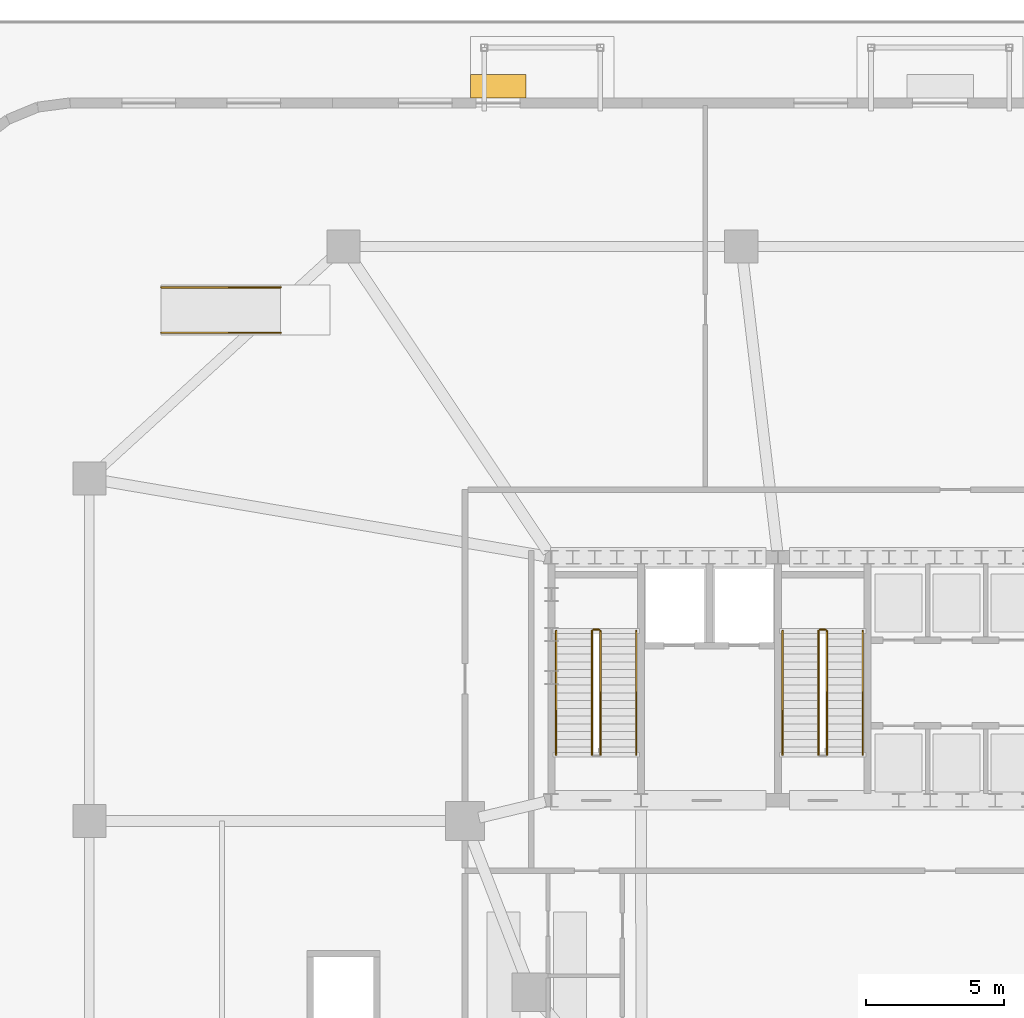
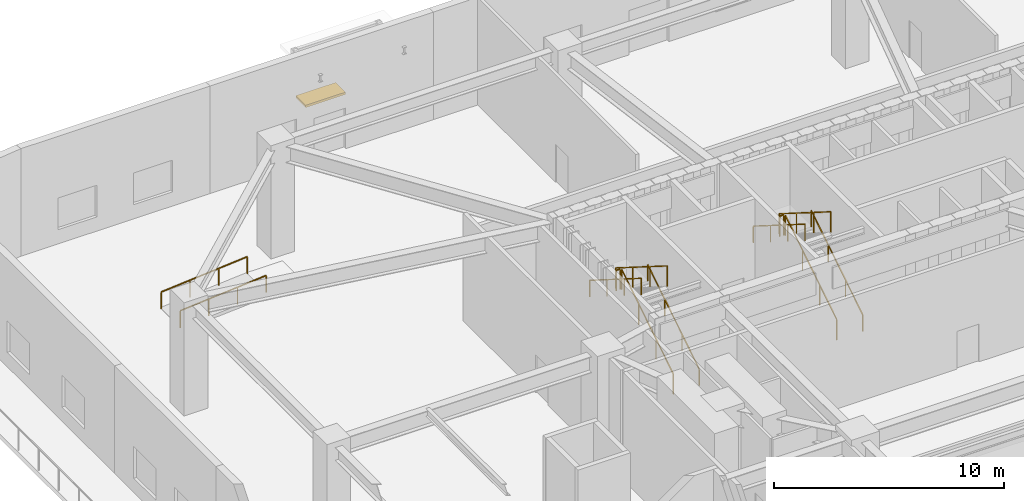
# One storey, part 18 of 21: 12 railings, 1 shading device.
"""IFC4 building model written with IfcOpenShell, lengths in metres."""

from ifc_helpers import new_model, si_unit, direction, frame, origin, origin_2d, place, context, subcontext, project, spatial, rectangle, extrude, material, type_object, element, save


model = new_model("IFC4")

# Units and contexts
model_context = context("Model", 3, precision=1e-05, world=origin(), true_north=direction((0.0, 1.0)))
body_context = subcontext(model_context, "Body", "Model", "MODEL_VIEW")
ifc_project = project(units=[si_unit("LENGTHUNIT", "METRE"), si_unit("AREAUNIT", "SQUARE_METRE"), si_unit("VOLUMEUNIT", "CUBIC_METRE"), si_unit("PLANEANGLEUNIT", "RADIAN"), si_unit("MASSUNIT", "GRAM", prefix="KILO")], contexts=[model_context])

# Site, building, storey
site_placement = place(None, origin())
site = spatial("IfcSite", under=ifc_project, at=site_placement, CompositionType="ELEMENT")
building_placement = place(site_placement, origin())
building = spatial("IfcBuilding", under=site, at=building_placement, Name="Haldorwick Loom Tower", CompositionType="ELEMENT")
storey_placement = place(building_placement, origin())
storey = spatial("IfcBuildingStorey", under=building, at=storey_placement, Name="L00", CompositionType="ELEMENT", Elevation=0.0)

# Railings
ifc_material_1 = material(Name="Steel CSA G40.21 350W", Category="steel")
railing_type_1 = type_object("IfcRailingType", Name="ARC-RLG-GUARD112", PredefinedType="GUARDRAIL", material=ifc_material_1)
railing_1_placement = place(storey_placement, frame((23.699951171875, 28.39990234375, 0.176513671875)))
element("IfcRailing", 1, at=railing_1_placement, inside=storey, type_object=railing_type_1, Name="L00 ST-01 stair guard 1", PredefinedType="GUARDRAIL", context=body_context, shape_type="SweptSolid", body=[
    extrude(rectangle(XDim=0.048095703125, YDim=0.048095703125, at=origin_2d()), frame((0.0, 0.0, 1.076171875), z_axis=(0.0, 0.845997938375, 0.533186166611), x_axis=(-1.0, 0.0, 0.0)), (0.0, 0.0, 1.0), 5.29541015625),
    extrude(rectangle(XDim=0.0419921875, YDim=0.0419921875, at=origin_2d()), origin(), (0.0, 0.0, 1.0), 1.052001953125),
    extrude(rectangle(XDim=0.0419921875, YDim=0.0419921875, at=origin_2d()), frame((0.0, 1.493408203125, 0.941162109375)), (0.0, 0.0, 1.0), 1.052001953125),
    extrude(rectangle(XDim=0.0419921875, YDim=0.0419921875, at=origin_2d()), frame((0.0, 2.986572265625, 1.88232421875)), (0.0, 0.0, 1.0), 1.052001953125),
    extrude(rectangle(XDim=0.0419921875, YDim=0.0419921875, at=origin_2d()), frame((0.0, 4.47998046875, 2.823486328125)), (0.0, 0.0, 1.0), 1.052001953125),
])
railing_2_placement = place(storey_placement, frame((23.64990234375, 32.929931640625, 3.0)))
element("IfcRailing", 2, at=railing_2_placement, inside=storey, type_object=railing_type_1, Name="L00 ST-01 stair guard 2", PredefinedType="GUARDRAIL", context=body_context, shape_type="SweptSolid", body=[
    extrude(rectangle(XDim=0.048095703125, YDim=0.048095703125, at=origin_2d()), frame((0.0, 0.0, 1.076171875), z_axis=(-1.0, 0.0, 0.0), x_axis=(0.0, -1.0, 0.0)), (0.0, 0.0, 1.0), 0.199951171875),
    extrude(rectangle(XDim=0.0419921875, YDim=0.0419921875, at=origin_2d()), origin(), (0.0, 0.0, 1.0), 1.052001953125),
    extrude(rectangle(XDim=0.0419921875, YDim=0.0419921875, at=origin_2d()), frame((-0.199951171875, 0.0, 0.0)), (0.0, 0.0, 1.0), 1.052001953125),
])
railing_3_placement = place(storey_placement, frame((23.39990234375, 32.8798828125, 3.176513671875)))
element("IfcRailing", 3, at=railing_3_placement, inside=storey, type_object=railing_type_1, Name="L00 ST-01 stair guard 3", PredefinedType="GUARDRAIL", context=body_context, shape_type="SweptSolid", body=[
    extrude(rectangle(XDim=0.048095703125, YDim=0.048095703125, at=origin_2d()), frame((0.0, 0.0, 1.076171875), z_axis=(0.0, -0.845997938375, 0.533186166611), x_axis=(1.0, 0.0, 0.0)), (0.0, 0.0, 1.0), 5.29541015625),
    extrude(rectangle(XDim=0.0419921875, YDim=0.0419921875, at=origin_2d()), origin(), (0.0, 0.0, 1.0), 1.052001953125),
    extrude(rectangle(XDim=0.0419921875, YDim=0.0419921875, at=origin_2d()), frame((0.0, -1.493408203125, 0.941162109375)), (0.0, 0.0, 1.0), 1.052001953125),
    extrude(rectangle(XDim=0.0419921875, YDim=0.0419921875, at=origin_2d()), frame((0.0, -2.986572265625, 1.88232421875)), (0.0, 0.0, 1.0), 1.052001953125),
    extrude(rectangle(XDim=0.0419921875, YDim=0.0419921875, at=origin_2d()), frame((0.0, -4.47998046875, 2.823486328125)), (0.0, 0.0, 1.0), 1.052001953125),
])
railing_4_placement = place(storey_placement, frame((31.89990234375, 28.39990234375, 0.176513671875)))
element("IfcRailing", 4, at=railing_4_placement, inside=storey, type_object=railing_type_1, Name="L00 ST-03 stair guard 1", PredefinedType="GUARDRAIL", context=body_context, shape_type="SweptSolid", body=[
    extrude(rectangle(XDim=0.048095703125, YDim=0.048095703125, at=origin_2d()), frame((0.0, 0.0, 1.076171875), z_axis=(0.0, 0.845997938375, 0.533186166611), x_axis=(-1.0, 0.0, 0.0)), (0.0, 0.0, 1.0), 5.29541015625),
    extrude(rectangle(XDim=0.0419921875, YDim=0.0419921875, at=origin_2d()), origin(), (0.0, 0.0, 1.0), 1.052001953125),
    extrude(rectangle(XDim=0.0419921875, YDim=0.0419921875, at=origin_2d()), frame((0.0, 1.493408203125, 0.941162109375)), (0.0, 0.0, 1.0), 1.052001953125),
    extrude(rectangle(XDim=0.0419921875, YDim=0.0419921875, at=origin_2d()), frame((0.0, 2.986572265625, 1.88232421875)), (0.0, 0.0, 1.0), 1.052001953125),
    extrude(rectangle(XDim=0.0419921875, YDim=0.0419921875, at=origin_2d()), frame((0.0, 4.47998046875, 2.823486328125)), (0.0, 0.0, 1.0), 1.052001953125),
])
railing_5_placement = place(storey_placement, frame((31.85009765625, 32.929931640625, 3.0)))
element("IfcRailing", 5, at=railing_5_placement, inside=storey, type_object=railing_type_1, Name="L00 ST-03 stair guard 2", PredefinedType="GUARDRAIL", context=body_context, shape_type="SweptSolid", body=[
    extrude(rectangle(XDim=0.048095703125, YDim=0.048095703125, at=origin_2d()), frame((0.0, 0.0, 1.076171875), z_axis=(-1.0, 0.0, 0.0), x_axis=(0.0, -1.0, 0.0)), (0.0, 0.0, 1.0), 0.2001953125),
    extrude(rectangle(XDim=0.0419921875, YDim=0.0419921875, at=origin_2d()), origin(), (0.0, 0.0, 1.0), 1.052001953125),
    extrude(rectangle(XDim=0.0419921875, YDim=0.0419921875, at=origin_2d()), frame((-0.2001953125, 0.0, 0.0)), (0.0, 0.0, 1.0), 1.052001953125),
])
railing_6_placement = place(storey_placement, frame((31.60009765625, 32.8798828125, 3.176513671875)))
element("IfcRailing", 6, at=railing_6_placement, inside=storey, type_object=railing_type_1, Name="L00 ST-03 stair guard 3", PredefinedType="GUARDRAIL", context=body_context, shape_type="SweptSolid", body=[
    extrude(rectangle(XDim=0.048095703125, YDim=0.048095703125, at=origin_2d()), frame((0.0, 0.0, 1.076171875), z_axis=(0.0, -0.845997938375, 0.533186166611), x_axis=(1.0, 0.0, 0.0)), (0.0, 0.0, 1.0), 5.29541015625),
    extrude(rectangle(XDim=0.0419921875, YDim=0.0419921875, at=origin_2d()), origin(), (0.0, 0.0, 1.0), 1.052001953125),
    extrude(rectangle(XDim=0.0419921875, YDim=0.0419921875, at=origin_2d()), frame((0.0, -1.493408203125, 0.941162109375)), (0.0, 0.0, 1.0), 1.052001953125),
    extrude(rectangle(XDim=0.0419921875, YDim=0.0419921875, at=origin_2d()), frame((0.0, -2.986572265625, 1.88232421875)), (0.0, 0.0, 1.0), 1.052001953125),
    extrude(rectangle(XDim=0.0419921875, YDim=0.0419921875, at=origin_2d()), frame((0.0, -4.47998046875, 2.823486328125)), (0.0, 0.0, 1.0), 1.052001953125),
])
railing_type_2 = type_object("IfcRailingType", Name="ARC-RLG-HAND092", PredefinedType="HANDRAIL", material=ifc_material_1)
railing_7_placement = place(storey_placement, frame((25.0, 28.39990234375, 0.176513671875)))
element("IfcRailing", 7, at=railing_7_placement, inside=storey, type_object=railing_type_2, Name="L00 ST-01 stair handrail 1", PredefinedType="HANDRAIL", context=body_context, shape_type="SweptSolid", body=[
    extrude(rectangle(XDim=0.048095703125, YDim=0.048095703125, at=origin_2d()), frame((0.0, 0.0, 0.8759765625), z_axis=(0.0, 0.845997938375, 0.533186166611), x_axis=(-1.0, 0.0, 0.0)), (0.0, 0.0, 1.0), 5.29541015625),
    extrude(rectangle(XDim=0.0419921875, YDim=0.0419921875, at=origin_2d()), origin(), (0.0, 0.0, 1.0), 0.851806640625),
    extrude(rectangle(XDim=0.0419921875, YDim=0.0419921875, at=origin_2d()), frame((0.0, 1.493408203125, 0.941162109375)), (0.0, 0.0, 1.0), 0.851806640625),
    extrude(rectangle(XDim=0.0419921875, YDim=0.0419921875, at=origin_2d()), frame((0.0, 2.986572265625, 1.88232421875)), (0.0, 0.0, 1.0), 0.851806640625),
    extrude(rectangle(XDim=0.0419921875, YDim=0.0419921875, at=origin_2d()), frame((0.0, 4.47998046875, 2.823486328125)), (0.0, 0.0, 1.0), 0.851806640625),
])
railing_8_placement = place(storey_placement, frame((22.10009765625, 32.8798828125, 3.176513671875)))
element("IfcRailing", 8, at=railing_8_placement, inside=storey, type_object=railing_type_2, Name="L00 ST-01 stair handrail 2", PredefinedType="HANDRAIL", context=body_context, shape_type="SweptSolid", body=[
    extrude(rectangle(XDim=0.048095703125, YDim=0.048095703125, at=origin_2d()), frame((0.0, 0.0, 0.8759765625), z_axis=(0.0, -0.845997938375, 0.533186166611), x_axis=(1.0, 0.0, 0.0)), (0.0, 0.0, 1.0), 5.29541015625),
    extrude(rectangle(XDim=0.0419921875, YDim=0.0419921875, at=origin_2d()), origin(), (0.0, 0.0, 1.0), 0.851806640625),
    extrude(rectangle(XDim=0.0419921875, YDim=0.0419921875, at=origin_2d()), frame((0.0, -1.493408203125, 0.941162109375)), (0.0, 0.0, 1.0), 0.851806640625),
    extrude(rectangle(XDim=0.0419921875, YDim=0.0419921875, at=origin_2d()), frame((0.0, -2.986572265625, 1.88232421875)), (0.0, 0.0, 1.0), 0.851806640625),
    extrude(rectangle(XDim=0.0419921875, YDim=0.0419921875, at=origin_2d()), frame((0.0, -4.47998046875, 2.823486328125)), (0.0, 0.0, 1.0), 0.851806640625),
])
railing_9_placement = place(storey_placement, frame((33.199951171875, 28.39990234375, 0.176513671875)))
element("IfcRailing", 9, at=railing_9_placement, inside=storey, type_object=railing_type_2, Name="L00 ST-03 stair handrail 1", PredefinedType="HANDRAIL", context=body_context, shape_type="SweptSolid", body=[
    extrude(rectangle(XDim=0.048095703125, YDim=0.048095703125, at=origin_2d()), frame((0.0, 0.0, 0.8759765625), z_axis=(0.0, 0.845997938375, 0.533186166611), x_axis=(-1.0, 0.0, 0.0)), (0.0, 0.0, 1.0), 5.29541015625),
    extrude(rectangle(XDim=0.0419921875, YDim=0.0419921875, at=origin_2d()), origin(), (0.0, 0.0, 1.0), 0.851806640625),
    extrude(rectangle(XDim=0.0419921875, YDim=0.0419921875, at=origin_2d()), frame((0.0, 1.493408203125, 0.941162109375)), (0.0, 0.0, 1.0), 0.851806640625),
    extrude(rectangle(XDim=0.0419921875, YDim=0.0419921875, at=origin_2d()), frame((0.0, 2.986572265625, 1.88232421875)), (0.0, 0.0, 1.0), 0.851806640625),
    extrude(rectangle(XDim=0.0419921875, YDim=0.0419921875, at=origin_2d()), frame((0.0, 4.47998046875, 2.823486328125)), (0.0, 0.0, 1.0), 0.851806640625),
])
railing_10_placement = place(storey_placement, frame((30.300048828125, 32.8798828125, 3.176513671875)))
element("IfcRailing", 10, at=railing_10_placement, inside=storey, type_object=railing_type_2, Name="L00 ST-03 stair handrail 2", PredefinedType="HANDRAIL", context=body_context, shape_type="SweptSolid", body=[
    extrude(rectangle(XDim=0.048095703125, YDim=0.048095703125, at=origin_2d()), frame((0.0, 0.0, 0.8759765625), z_axis=(0.0, -0.845997938375, 0.533186166611), x_axis=(1.0, 0.0, 0.0)), (0.0, 0.0, 1.0), 5.29541015625),
    extrude(rectangle(XDim=0.0419921875, YDim=0.0419921875, at=origin_2d()), origin(), (0.0, 0.0, 1.0), 0.851806640625),
    extrude(rectangle(XDim=0.0419921875, YDim=0.0419921875, at=origin_2d()), frame((0.0, -1.493408203125, 0.941162109375)), (0.0, 0.0, 1.0), 0.851806640625),
    extrude(rectangle(XDim=0.0419921875, YDim=0.0419921875, at=origin_2d()), frame((0.0, -2.986572265625, 1.88232421875)), (0.0, 0.0, 1.0), 0.851806640625),
    extrude(rectangle(XDim=0.0419921875, YDim=0.0419921875, at=origin_2d()), frame((0.0, -4.47998046875, 2.823486328125)), (0.0, 0.0, 1.0), 0.851806640625),
])
for number, where, name in (
    (11, (7.800048828125, 43.679931640625, 0.0), "RMP-03 Ramp Handrail 1"),
    (12, (7.800048828125, 45.320068359375, 0.0), "RMP-03 Ramp Handrail 2"),
):
    element("IfcRailing", number, at=place(storey_placement, frame(where)), inside=storey, type_object=railing_type_2, Name=name, PredefinedType="HANDRAIL", context=body_context, shape_type="SweptSolid", body=[
        extrude(rectangle(XDim=0.048095703125, YDim=0.048095703125, at=origin_2d()), frame((0.0, 0.0, 0.89599609375), z_axis=(0.996543815979, 0.0, 0.083068783756), x_axis=(0.0, 1.0, 0.0)), (0.0, 0.0, 1.0), 4.3349609375),
        extrude(rectangle(XDim=0.0419921875, YDim=0.0419921875, at=origin_2d()), origin(), (0.0, 0.0, 1.0), 0.871826171875),
        extrude(rectangle(XDim=0.0419921875, YDim=0.0419921875, at=origin_2d()), frame((1.43994140625, 0.0, 0.1201171875)), (0.0, 0.0, 1.0), 0.871826171875),
        extrude(rectangle(XDim=0.0419921875, YDim=0.0419921875, at=origin_2d()), frame((2.880126953125, 0.0, 0.239990234375)), (0.0, 0.0, 1.0), 0.871826171875),
        extrude(rectangle(XDim=0.0419921875, YDim=0.0419921875, at=origin_2d()), frame((4.320068359375, 0.0, 0.360107421875)), (0.0, 0.0, 1.0), 0.871826171875),
    ])

# Shading device
ifc_material_2 = material(Name="Extruded Anodized Aluminium Weather Louvre", Category="aluminium")
shading_device_type = type_object("IfcShadingDeviceType", Name="ARC-SHD-AWNING2", PredefinedType="AWNING", material=ifc_material_2)
shading_device_placement = place(storey_placement, frame((20.0, 52.60009765625, 2.58984375), z_axis=(0.0, 0.0, 1.0), x_axis=(-1.0, 0.0, 0.0)))
element("IfcShadingDevice", 13, at=shading_device_placement, inside=storey, type_object=shading_device_type, Name="L00 Entrance Sunshade Canopy EX-07", PredefinedType="AWNING", context=body_context, shape_type="SweptSolid", body=[
    extrude(rectangle(XDim=2.0, YDim=0.85009765625, at=origin_2d()), origin(), (0.0, 0.0, 1.0), 0.1201171875),
])

save(model, "model.ifc")
